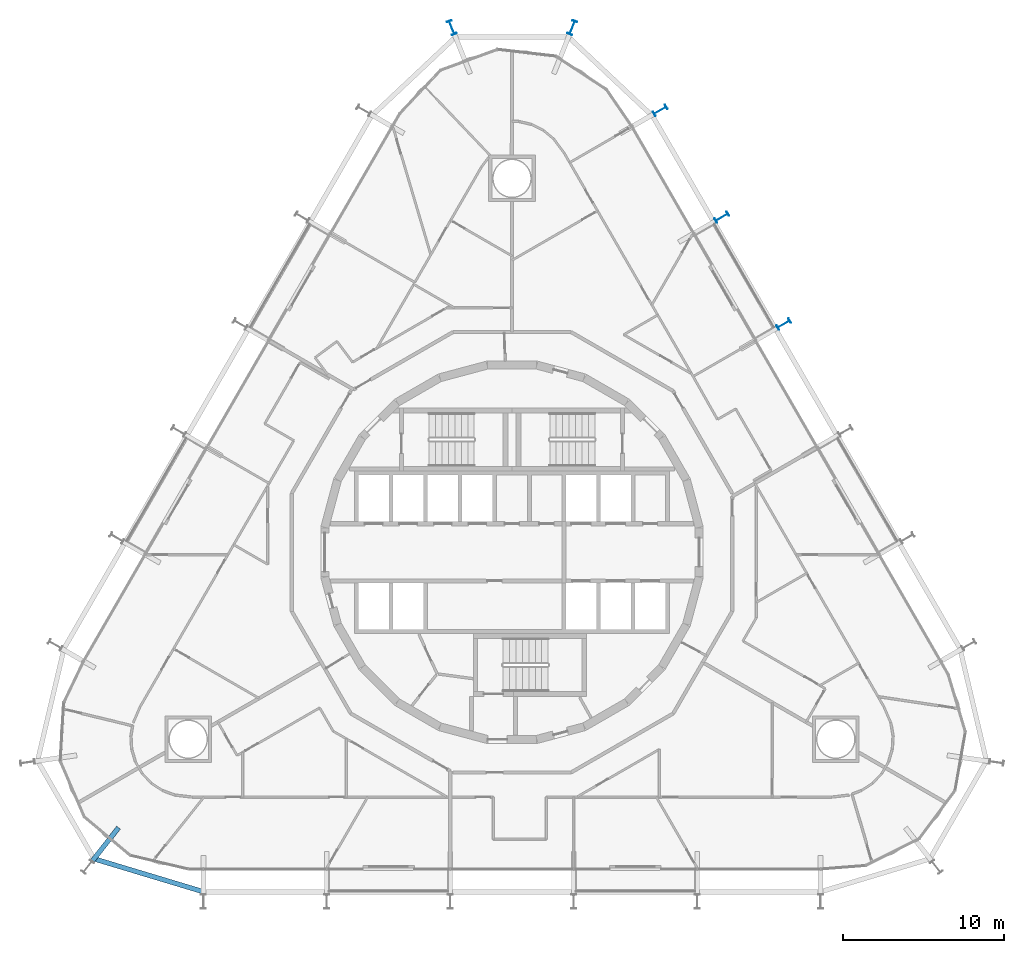
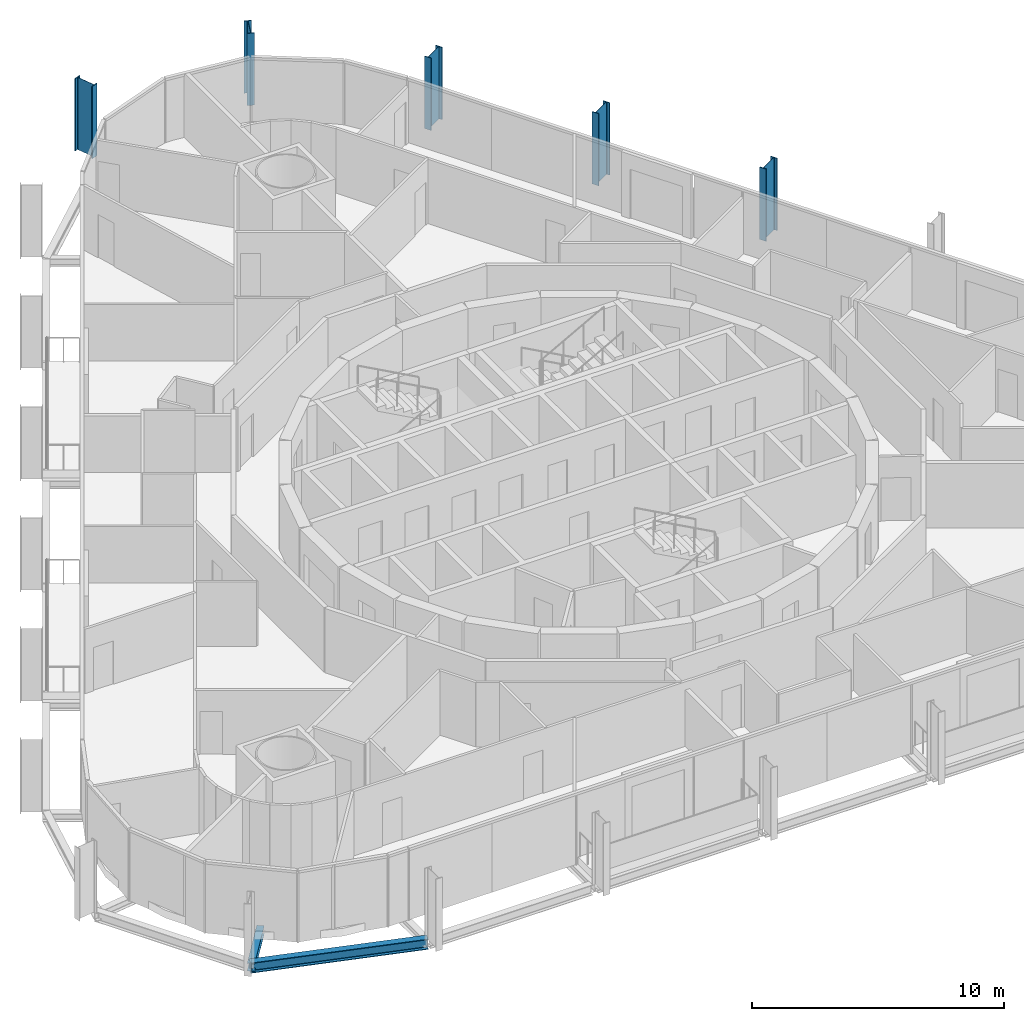
# One storey, part 2 of 19: 5 columns, 2 beams.
"""IFC4 building model written with IfcOpenShell, lengths in metres."""

from ifc_helpers import new_model, si_unit, direction, frame, origin, origin_2d, place, context, subcontext, project, spatial, i_section, extrude, material, material_profile, profile_set, type_object, element, save


model = new_model("IFC4")

# Units and contexts
model_context = context("Model", 3, precision=1e-05, world=origin(), true_north=direction((0.0, 1.0)))
body_context = subcontext(model_context, "Body", "Model", "MODEL_VIEW")
ifc_project = project(units=[si_unit("LENGTHUNIT", "METRE"), si_unit("AREAUNIT", "SQUARE_METRE"), si_unit("VOLUMEUNIT", "CUBIC_METRE"), si_unit("PLANEANGLEUNIT", "RADIAN"), si_unit("MASSUNIT", "GRAM", prefix="KILO")], contexts=[model_context])

# Site, building, storey
site_placement = place(None, origin())
site = spatial("IfcSite", under=ifc_project, at=site_placement, CompositionType="ELEMENT")
building_placement = place(site_placement, origin())
building = spatial("IfcBuilding", under=site, at=building_placement, Name="Spindle Arch Residences", CompositionType="ELEMENT")
storey_placement = place(building_placement, frame((0.0, 0.0, 45.39990234375)))
storey = spatial("IfcBuildingStorey", under=building, at=storey_placement, Name="L09", CompositionType="ELEMENT", Elevation=45.39990234375)

# Columns
ifc_material_1 = material(Name="Steel S460ML, intumescent coating R 240", Category="steel")
ifc_material_profile_1 = material_profile(ifc_material_1, i_section(OverallWidth=0.300048828125, OverallDepth=0.89990234375, WebThickness=0.0185546875, FlangeThickness=0.034912109375, FilletRadius=0.030029296875, at=origin_2d()), Name="HEB 900")
ifc_profile_set_1 = profile_set([ifc_material_profile_1], Name="Steel S460ML, intumescent coating R 240")
column_type = type_object("IfcColumnType", Name="Exoskeleton post HEB 900", PredefinedType="COLUMN", material=ifc_profile_set_1)
for number, where, z_axis, x_axis, name in (
    (1, (16.898681640625, 14.1904296875, -0.3798828125), (0.0, 0.0, 1.0), (0.50000017485, -0.866025302835, 0.0), "Exoskeleton post 9"),
    (2, (13.05859375, 20.841796875, -0.3798828125), (0.0, 0.0, 1.0), (0.50000017485, -0.866025302835, 0.0), "Exoskeleton post 10"),
    (3, (9.218505859375, 27.492919921875, -0.3798828125), (0.0, 0.0, 1.0), (0.50000017485, -0.866025302835, 0.0), "Exoskeleton post 11"),
    (4, (3.748291015625, 32.638671875, -0.3798828125), (0.0, 0.0, 1.0), (0.928589751246, -0.371107900591, 0.0), "Exoskeleton post 12"),
    (5, (-3.748291015625, 32.638671875, -0.3798828125), (0.0, 0.0, 1.0), (0.928589751246, 0.371107900591, 0.0), "Exoskeleton post 13"),
):
    element("IfcColumn", number, at=place(storey_placement, frame(where, z_axis=z_axis, x_axis=x_axis)), inside=storey, type_object=column_type, Name=name, PredefinedType="COLUMN", context=body_context, shape_type="SweptSolid", body=[
        extrude(i_section(OverallWidth=0.300048828125, OverallDepth=0.89990234375, WebThickness=0.0185546875, FlangeThickness=0.034912109375, FilletRadius=0.030029296875, at=origin_2d()), origin(), (0.0, 0.0, 1.0), 3.5),
    ])

# Beams
ifc_material_2 = material(Name="Steel S460ML, intumescent coating R 120", Category="steel")
ifc_material_profile_2 = material_profile(ifc_material_2, i_section(OverallWidth=0.300048828125, OverallDepth=0.5, WebThickness=0.014404296875, FlangeThickness=0.028076171875, FilletRadius=0.027099609375, at=origin_2d()), Name="HEB 500")
ifc_profile_set_2 = profile_set([ifc_material_profile_2], Name="Steel S460ML, intumescent coating R 120")
beam_type_1 = type_object("IfcBeamType", Name="Exoskeleton edge beam HEB 500", PredefinedType="BEAM", material=ifc_profile_set_2)
beam_1_placement = place(storey_placement, frame((-26.0751953125, -19.048095703125, -0.6298828125), z_axis=(0.95756732363, -0.288209681856, 0.0), x_axis=(0.288209681856, 0.95756732363, 0.0)))
element("IfcBeam", 6, at=beam_1_placement, inside=storey, type_object=beam_type_1, Name="Exoskeleton edge beam 21", PredefinedType="BEAM", context=body_context, shape_type="SweptSolid", body=[
    extrude(i_section(OverallWidth=0.300048828125, OverallDepth=0.5, WebThickness=0.014404296875, FlangeThickness=0.028076171875, FilletRadius=0.027099609375, at=origin_2d()), origin(), (0.0, 0.0, 1.0), 7.250244140625),
])
ifc_material_3 = material(Name="Steel S460ML, intumescent coating R 120", Category="steel")
ifc_material_profile_3 = material_profile(ifc_material_3, i_section(OverallWidth=0.300048828125, OverallDepth=0.389892578125, WebThickness=0.010986328125, FlangeThickness=0.01904296875, FilletRadius=0.027099609375, at=origin_2d()), Name="HEA 400")
ifc_profile_set_3 = profile_set([ifc_material_profile_3], Name="Steel S460ML, intumescent coating R 120")
beam_type_2 = type_object("IfcBeamType", Name="Floor outrigger HEA 400", PredefinedType="BEAM", material=ifc_profile_set_3)
beam_2_placement = place(storey_placement, frame((-26.11328125, -19.211669921875, -0.574951171875), z_axis=(0.618586231558, 0.785716917297, 0.0), x_axis=(-0.785716917297, 0.618586231558, 0.0)))
element("IfcBeam", 7, at=beam_2_placement, inside=storey, type_object=beam_type_2, Name="Floor outrigger 21", PredefinedType="BEAM", context=body_context, shape_type="SweptSolid", body=[
    extrude(i_section(OverallWidth=0.300048828125, OverallDepth=0.389892578125, WebThickness=0.010986328125, FlangeThickness=0.01904296875, FilletRadius=0.027099609375, at=origin_2d()), origin(), (0.0, 0.0, 1.0), 2.64990234375),
])

save(model, "model.ifc")
